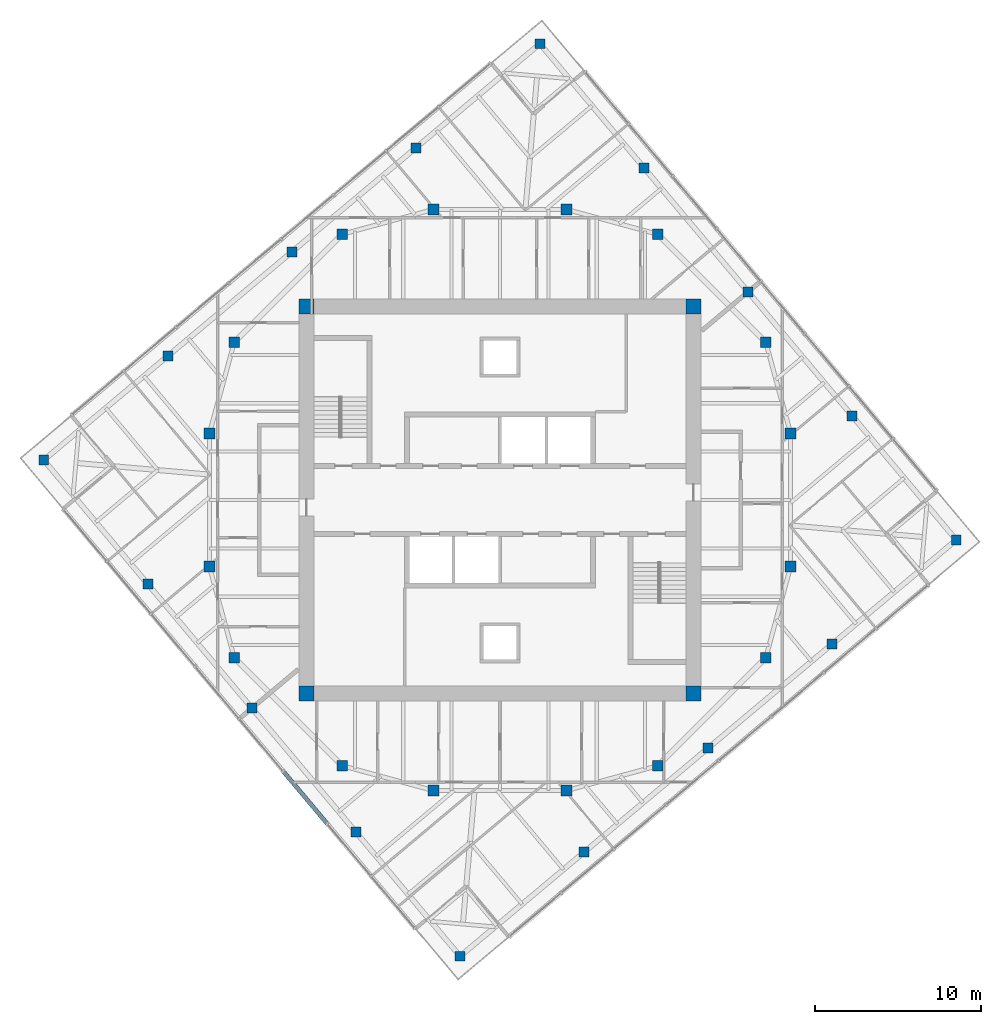
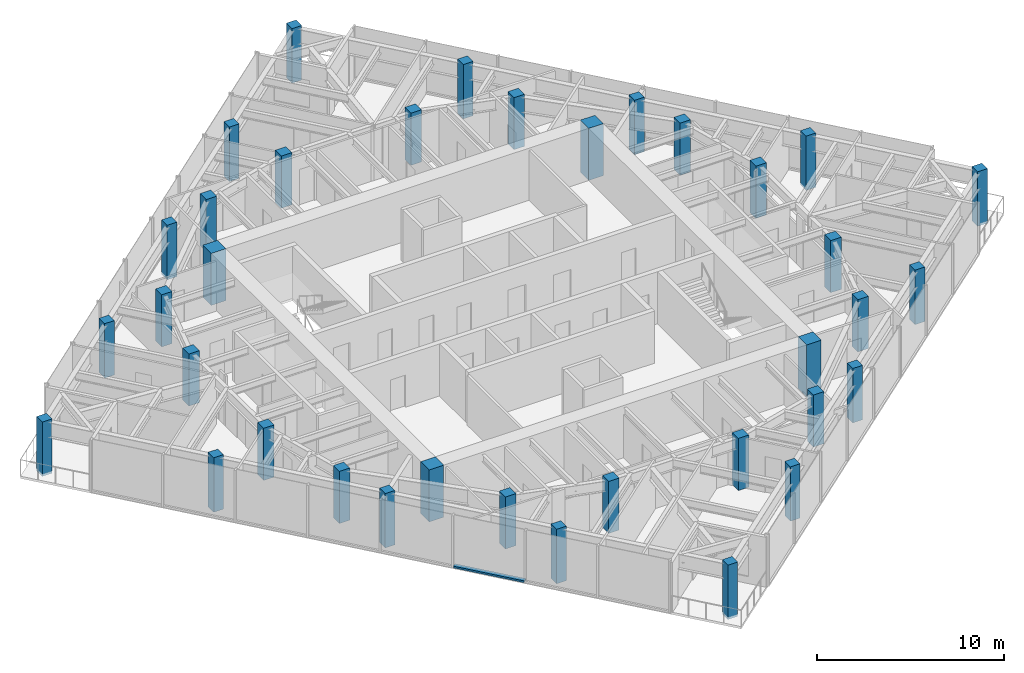
# One storey, part 1 of 11: 36 columns, 1 member, 1 element without a shape of its own.
"""IFC4 building model written with IfcOpenShell, lengths in metres."""

from ifc_helpers import new_model, si_unit, direction, frame, origin, origin_2d, place, context, subcontext, project, spatial, rectangle, extrude, material, material_profile, profile_set, type_object, element, aggregate, save


model = new_model("IFC4")

# Units and contexts
model_context = context("Model", 3, precision=1e-05, world=origin(), true_north=direction((0.0, 1.0)))
body_context = subcontext(model_context, "Body", "Model", "MODEL_VIEW")
ifc_project = project(units=[si_unit("LENGTHUNIT", "METRE"), si_unit("AREAUNIT", "SQUARE_METRE"), si_unit("VOLUMEUNIT", "CUBIC_METRE"), si_unit("PLANEANGLEUNIT", "RADIAN"), si_unit("MASSUNIT", "GRAM", prefix="KILO")], contexts=[model_context])

# Site, building, storey
site_placement = place(None, origin())
site = spatial("IfcSite", under=ifc_project, at=site_placement, CompositionType="ELEMENT")
building_placement = place(site_placement, origin())
building = spatial("IfcBuilding", under=site, at=building_placement, Name="Torsade Residences", CompositionType="ELEMENT")
storey_placement = place(building_placement, frame((0.0, 0.0, 272.60009765625)))
storey = spatial("IfcBuildingStorey", under=building, at=storey_placement, Name="L75", CompositionType="ELEMENT", Elevation=272.60009765625)

# Columns
ifc_material_1 = material(Name="Concrete 80 MPa", Category="concrete")
ifc_material_profile_1 = material_profile(ifc_material_1, rectangle(XDim=0.89990234375, YDim=0.89990234375, at=origin_2d()), Name="RC 900x900")
ifc_profile_set_1 = profile_set([ifc_material_profile_1], Name="Concrete 80 MPa")
column_type_1 = type_object("IfcColumnType", Name="CORE CORNER COLUMN RC 900x900", PredefinedType="COLUMN", material=ifc_profile_set_1)
for number, where, z_axis, x_axis, name in (
    (1, (28.35009765625, 18.35009765625, 0.0), (0.0, 0.0, 1.0), (1.0, 0.0, 0.0), "Core corner column CC1 L75"),
    (2, (51.64990234375, 18.35009765625, 0.0), (0.0, 0.0, 1.0), (1.0, 0.0, 0.0), "Core corner column CC2 L75"),
    (3, (51.64990234375, 41.64990234375, 0.0), (0.0, 0.0, 1.0), (1.0, 0.0, 0.0), "Core corner column CC3 L75"),
    (4, (28.35009765625, 41.64990234375, 0.0), (0.0, 0.0, 1.0), (1.0, 0.0, 0.0), "Core corner column CC4 L75"),
):
    element("IfcColumn", number, at=place(storey_placement, frame(where, z_axis=z_axis, x_axis=x_axis)), inside=storey, type_object=column_type_1, Name=name, PredefinedType="COLUMN", context=body_context, shape_type="SweptSolid", body=[
        extrude(rectangle(XDim=0.89990234375, YDim=0.89990234375, at=origin_2d()), origin(), (0.0, 0.0, 1.0), 3.39990234375),
    ])
ifc_material_2 = material(Name="Concrete 80 MPa", Category="concrete")
ifc_material_profile_2 = material_profile(ifc_material_2, rectangle(XDim=0.64990234375, YDim=0.64990234375, at=origin_2d()), Name="RC 650x650")
ifc_profile_set_2 = profile_set([ifc_material_profile_2], Name="Concrete 80 MPa")
column_type_2 = type_object("IfcColumnType", Name="INNER RING COLUMN RC 650x650", PredefinedType="COLUMN", material=ifc_profile_set_2)
for number, where, z_axis, x_axis, name in (
    (5, (57.5, 26.0, 0.0), (0.0, 0.0, 1.0), (1.0, 0.0, 0.0), "Inner ring column IR01 L75"),
    (6, (57.5, 34.0, 0.0), (0.0, 0.0, 1.0), (1.0, 0.0, 0.0), "Inner ring column IR02 L75"),
    (7, (56.0, 39.5, 0.0), (0.0, 0.0, 1.0), (1.0, 0.0, 0.0), "Inner ring column IR03 L75"),
    (8, (49.5, 46.0, 0.0), (0.0, 0.0, 1.0), (1.0, 0.0, 0.0), "Inner ring column IR04 L75"),
    (9, (44.0, 47.5, 0.0), (0.0, 0.0, 1.0), (1.0, 0.0, 0.0), "Inner ring column IR05 L75"),
    (10, (36.0, 47.5, 0.0), (0.0, 0.0, 1.0), (1.0, 0.0, 0.0), "Inner ring column IR06 L75"),
    (11, (30.5, 46.0, 0.0), (0.0, 0.0, 1.0), (1.0, 0.0, 0.0), "Inner ring column IR07 L75"),
    (12, (24.0, 39.5, 0.0), (0.0, 0.0, 1.0), (1.0, 0.0, 0.0), "Inner ring column IR08 L75"),
    (13, (22.5, 34.0, 0.0), (0.0, 0.0, 1.0), (1.0, 0.0, 0.0), "Inner ring column IR09 L75"),
    (14, (22.5, 26.0, 0.0), (0.0, 0.0, 1.0), (1.0, 0.0, 0.0), "Inner ring column IR10 L75"),
    (15, (24.0, 20.5, 0.0), (0.0, 0.0, 1.0), (1.0, 0.0, 0.0), "Inner ring column IR11 L75"),
    (16, (30.5, 14.0, 0.0), (0.0, 0.0, 1.0), (1.0, 0.0, 0.0), "Inner ring column IR12 L75"),
    (17, (36.0, 12.5, 0.0), (0.0, 0.0, 1.0), (1.0, 0.0, 0.0), "Inner ring column IR13 L75"),
    (18, (44.0, 12.5, 0.0), (0.0, 0.0, 1.0), (1.0, 0.0, 0.0), "Inner ring column IR14 L75"),
    (19, (49.5, 14.0, 0.0), (0.0, 0.0, 1.0), (1.0, 0.0, 0.0), "Inner ring column IR15 L75"),
    (20, (56.0, 20.5, 0.0), (0.0, 0.0, 1.0), (1.0, 0.0, 0.0), "Inner ring column IR16 L75"),
):
    element("IfcColumn", number, at=place(storey_placement, frame(where, z_axis=z_axis, x_axis=x_axis)), inside=storey, type_object=column_type_2, Name=name, PredefinedType="COLUMN", context=body_context, shape_type="SweptSolid", body=[
        extrude(rectangle(XDim=0.64990234375, YDim=0.64990234375, at=origin_2d()), origin(), (0.0, 0.0, 1.0), 3.39990234375),
    ])
ifc_material_3 = material(Name="Concrete 80 MPa", Category="concrete")
ifc_material_profile_3 = material_profile(ifc_material_3, rectangle(XDim=0.60009765625, YDim=0.60009765625, at=origin_2d()), Name="RC 600x600")
ifc_profile_set_3 = profile_set([ifc_material_profile_3], Name="Concrete 80 MPa")
column_type_3 = type_object("IfcColumnType", Name="TOWER COLUMN RC 600x600", PredefinedType="COLUMN", material=ifc_profile_set_3)
for number, where, z_axis, x_axis, name in (
    (21, (37.596435546875, 2.52783203125, -0.150146484375), (0.0, 0.0, 1.0), (1.0, 0.0, 0.0), "Column TC9-01 L75"),
    (22, (45.0654296875, 8.794921875, -0.150146484375), (0.0, 0.0, 1.0), (1.0, 0.0, 0.0), "Column TC9-02 L75"),
    (23, (52.534423828125, 15.06201171875, -0.150146484375), (0.0, 0.0, 1.0), (1.0, 0.0, 0.0), "Column TC9-03 L75"),
    (24, (60.003173828125, 21.329345703125, -0.150146484375), (0.0, 0.0, 1.0), (1.0, 0.0, 0.0), "Column TC9-04 L75"),
    (25, (67.47216796875, 27.596435546875, -0.150146484375), (0.0, 0.0, 1.0), (1.0, 0.0, 0.0), "Column TC9-05 L75"),
    (26, (61.205078125, 35.0654296875, -0.150146484375), (0.0, 0.0, 1.0), (1.0, 0.0, 0.0), "Column TC9-06 L75"),
    (27, (54.93798828125, 42.534423828125, -0.150146484375), (0.0, 0.0, 1.0), (1.0, 0.0, 0.0), "Column TC9-07 L75"),
    (28, (48.670654296875, 50.003173828125, -0.150146484375), (0.0, 0.0, 1.0), (1.0, 0.0, 0.0), "Column TC9-08 L75"),
    (29, (42.403564453125, 57.47216796875, -0.150146484375), (0.0, 0.0, 1.0), (1.0, 0.0, 0.0), "Column TC9-09 L75"),
    (30, (34.9345703125, 51.205078125, -0.150146484375), (0.0, 0.0, 1.0), (1.0, 0.0, 0.0), "Column TC9-10 L75"),
    (31, (27.465576171875, 44.93798828125, -0.150146484375), (0.0, 0.0, 1.0), (1.0, 0.0, 0.0), "Column TC9-11 L75"),
    (32, (19.996826171875, 38.670654296875, -0.150146484375), (0.0, 0.0, 1.0), (1.0, 0.0, 0.0), "Column TC9-12 L75"),
    (33, (12.52783203125, 32.403564453125, -0.150146484375), (0.0, 0.0, 1.0), (1.0, 0.0, 0.0), "Column TC9-13 L75"),
    (34, (18.794921875, 24.9345703125, -0.150146484375), (0.0, 0.0, 1.0), (1.0, 0.0, 0.0), "Column TC9-14 L75"),
    (35, (25.06201171875, 17.465576171875, -0.150146484375), (0.0, 0.0, 1.0), (1.0, 0.0, 0.0), "Column TC9-15 L75"),
    (36, (31.329345703125, 9.996826171875, -0.150146484375), (0.0, 0.0, 1.0), (1.0, 0.0, 0.0), "Column TC9-16 L75"),
):
    element("IfcColumn", number, at=place(storey_placement, frame(where, z_axis=z_axis, x_axis=x_axis)), inside=storey, type_object=column_type_3, Name=name, PredefinedType="COLUMN", context=body_context, shape_type="SweptSolid", body=[
        extrude(rectangle(XDim=0.60009765625, YDim=0.60009765625, at=origin_2d()), origin(), (0.0, 0.0, 1.0), 3.550048828125),
    ])

# Curtain wall, member
ifc_material_4 = material(Name="Aluminium and glass", Category="aluminium")
curtain_wall_type = type_object("IfcCurtainWallType", Name="FRITTED GLASS CURTAIN WALL HIGH ZONE", PredefinedType="NOTDEFINED", material=ifc_material_4)
curtain_wall_placement = place(storey_placement, origin())
curtain_wall = element("IfcCurtainWall", 37, at=curtain_wall_placement, inside=storey, type_object=curtain_wall_type, Name="Curtain wall L75 face 10", PredefinedType="NOTDEFINED")
ifc_material_5 = material(Name="Aluminium transom", Category="aluminium")
ifc_material_profile_4 = material_profile(ifc_material_5, rectangle(XDim=0.25, YDim=0.1201171875, at=origin_2d()), Name="HIGH ZONE CURTAIN WALL TRANSOM 250x120")
ifc_profile_set_4 = profile_set([ifc_material_profile_4], Name="Aluminium transom")
member_type = type_object("IfcMemberType", Name="HIGH ZONE CURTAIN WALL TRANSOM 250x120", PredefinedType="USERDEFINED", material=ifc_profile_set_4)
member_placement = place(storey_placement, frame((26.979736328125, 13.62451171875, 0.059814453125), z_axis=(0.642787992616, -0.766044121803, 0.0), x_axis=(0.766044121803, 0.642787992616, 0.0)))
member = element("IfcMember", 38, at=member_placement, type_object=member_type, Name="Transom 6.1", ObjectType="TRANSOM", PredefinedType="USERDEFINED", context=body_context, shape_type="SweptSolid", body=[
    extrude(rectangle(XDim=0.25, YDim=0.1201171875, at=origin_2d()), origin(), (0.0, 0.0, 1.0), 4.02490234375),
])
aggregate(curtain_wall, [member])

save(model, "model.ifc")
